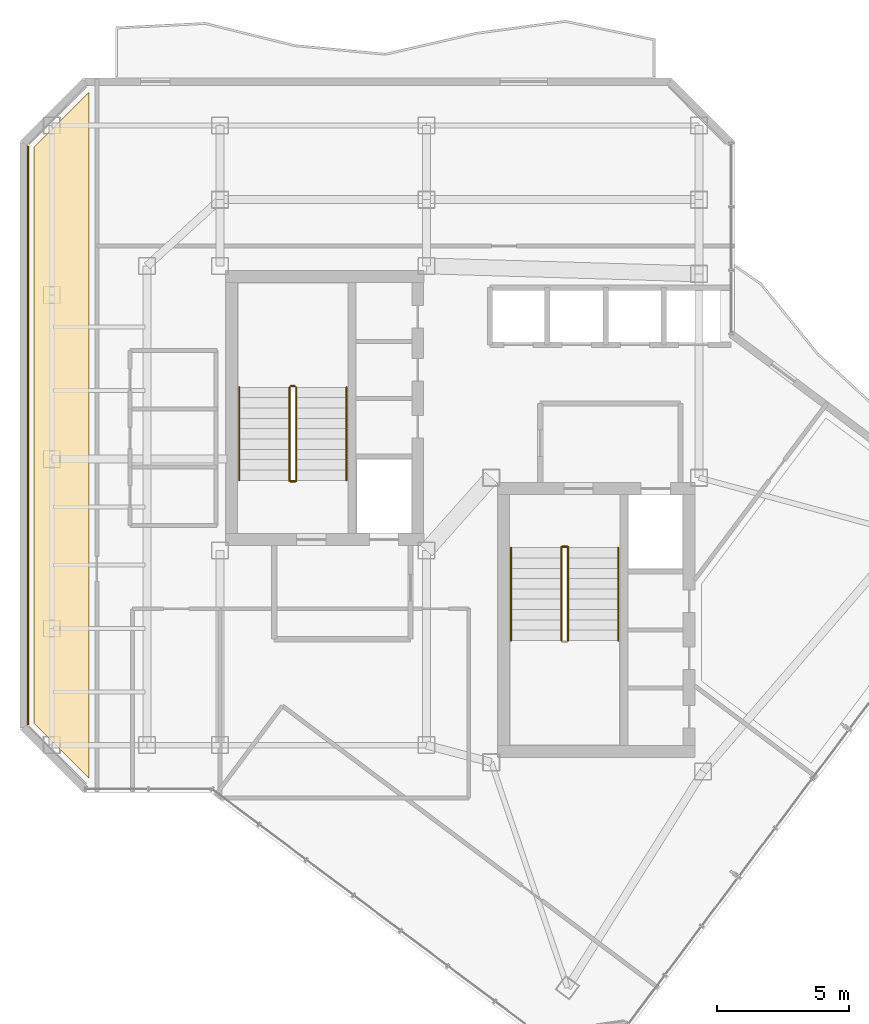
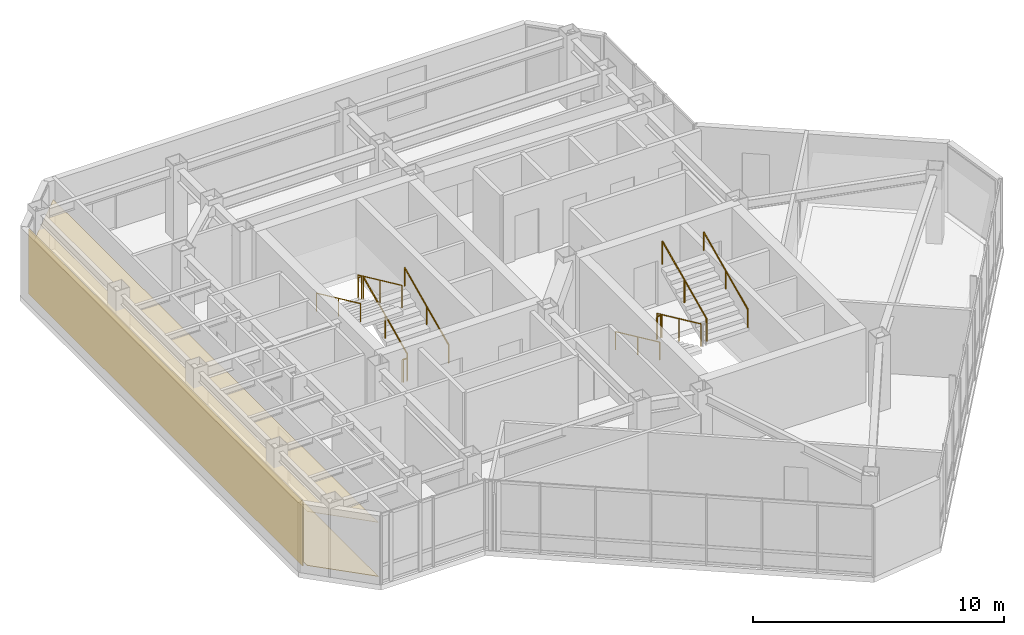
# One storey, part 17 of 18: 13 railings, 3 coverings.
"""IFC4 building model written with IfcOpenShell, lengths in metres."""

from ifc_helpers import new_model, si_unit, direction, frame, origin, origin_2d, place, context, subcontext, project, spatial, polyline, rectangle, circle, outline, extrude, material, layer, layer_set, type_object, element, save


model = new_model("IFC4")

# Units and contexts
model_context = context("Model", 3, precision=1e-05, world=origin(), true_north=direction((0.0, 1.0)))
body_context = subcontext(model_context, "Body", "Model", "MODEL_VIEW")
ifc_project = project(units=[si_unit("LENGTHUNIT", "METRE"), si_unit("AREAUNIT", "SQUARE_METRE"), si_unit("VOLUMEUNIT", "CUBIC_METRE"), si_unit("PLANEANGLEUNIT", "RADIAN"), si_unit("MASSUNIT", "GRAM", prefix="KILO")], contexts=[model_context])

# Site, building, storey
site_placement = place(None, origin())
site = spatial("IfcSite", under=ifc_project, at=site_placement, CompositionType="ELEMENT")
building_placement = place(site_placement, origin())
building = spatial("IfcBuilding", under=site, at=building_placement, Name="Hatsunagi Terrace Concourse", CompositionType="ELEMENT")
storey_placement = place(building_placement, frame((0.0, 0.0, 250.35009765625)))
storey = spatial("IfcBuildingStorey", under=building, at=storey_placement, Name="L66", CompositionType="ELEMENT", Elevation=250.35009765625)

# Coverings
ifc_material_1 = material(Name="Acoustic mineral board", Category="gypsum")
ifc_layer_1 = layer(ifc_material_1, 0.02001953125)
ifc_layer_set_1 = layer_set([ifc_layer_1], Name="AcousticMineralCeiling_20")
covering_type_1 = type_object("IfcCoveringType", Name="AcousticMineralCeiling_20", PredefinedType="CEILING", material=ifc_layer_set_1)
covering_1_placement = place(storey_placement, frame((0.0, 0.0, 2.6298828125)))
element("IfcCovering", 1, at=covering_1_placement, inside=storey, type_object=covering_type_1, Name="Suspended Ceiling L66-2", PredefinedType="CEILING", context=body_context, shape_type="SweptSolid", body=[
    extrude(outline(polyline([(18.530029296875, 26.02001953125), (20.60009765625, 23.949951171875), (20.60009765625, 49.85009765625), (18.530029296875, 47.780029296875), (18.530029296875, 26.02001953125)])), origin(), (0.0, 0.0, 1.0), 0.02001953125),
])
ifc_material_2 = material(Name="Granite stone paving", Category="masonry")
ifc_layer_2 = layer(ifc_material_2, 0.02490234375)
ifc_layer_set_2 = layer_set([ifc_layer_2], Name="GraniteStoneFlooring_25")
covering_type_2 = type_object("IfcCoveringType", Name="GraniteStoneFlooring_25", PredefinedType="FLOORING", material=ifc_layer_set_2)
covering_2_placement = place(storey_placement, origin())
element("IfcCovering", 2, at=covering_2_placement, inside=storey, type_object=covering_type_2, Name="Finished Flooring L66-2", PredefinedType="FLOORING", context=body_context, shape_type="SweptSolid", body=[
    extrude(outline(polyline([(18.530029296875, 26.02001953125), (20.60009765625, 23.949951171875), (20.60009765625, 49.85009765625), (18.530029296875, 47.780029296875), (18.530029296875, 26.02001953125)])), origin(), (0.0, 0.0, 1.0), 0.02490234375),
])

# Railings
ifc_material_3 = material(Name="Stainless steel", Category="steel")
ifc_layer_3 = layer(ifc_material_3, 0.044921875)
ifc_layer_set_3 = layer_set([ifc_layer_3], Name="StairPitchHandrail_Tower2000")
railing_type_1 = type_object("IfcRailingType", Name="StairPitchHandrail_Tower2000", PredefinedType="HANDRAIL", material=ifc_layer_set_3)
railing_1_placement = place(storey_placement, frame((30.330078125, 35.199951171875, 0.179931640625)))
element("IfcRailing", 3, at=railing_1_placement, inside=storey, type_object=railing_type_1, Name="L66 ST-A stair handrail 1", PredefinedType="HANDRAIL", context=body_context, shape_type="SweptSolid", body=[
    extrude(circle(Radius=0.02392578125, at=origin_2d()), frame((0.0, 0.0, 0.8759765625), z_axis=(0.0, 0.907972323039, 0.419030142823), x_axis=(-1.0, 0.0, 0.0)), (0.0, 0.0, 1.0), 3.86572265625),
    extrude(circle(Radius=0.02099609375, at=origin_2d()), origin(), (0.0, 0.0, 1.0), 0.851806640625),
    extrude(circle(Radius=0.02099609375, at=origin_2d()), frame((0.0, 1.7548828125, 0.81005859375)), (0.0, 0.0, 1.0), 0.851806640625),
    extrude(circle(Radius=0.02099609375, at=origin_2d()), frame((0.0, 3.510009765625, 1.619873046875)), (0.0, 0.0, 1.0), 0.851806640625),
])
for number, where, name in (
    (4, (26.280029296875, 38.7099609375, 1.97998046875), "L66 ST-A stair handrail 2"),
    (5, (36.550048828125, 32.659912109375, 0.179931640625), "L66 ST-B stair handrail 1"),
):
    element("IfcRailing", number, at=place(storey_placement, frame(where)), inside=storey, type_object=railing_type_1, Name=name, PredefinedType="HANDRAIL", context=body_context, shape_type="SweptSolid", body=[
        extrude(circle(Radius=0.02392578125, at=origin_2d()), frame((0.0, 0.0, 0.8759765625), z_axis=(0.0, -0.907972323039, 0.419030142823), x_axis=(1.0, 0.0, 0.0)), (0.0, 0.0, 1.0), 3.86572265625),
        extrude(circle(Radius=0.02099609375, at=origin_2d()), origin(), (0.0, 0.0, 1.0), 0.851806640625),
        extrude(circle(Radius=0.02099609375, at=origin_2d()), frame((0.0, -1.7548828125, 0.81005859375)), (0.0, 0.0, 1.0), 0.851806640625),
        extrude(circle(Radius=0.02099609375, at=origin_2d()), frame((0.0, -3.510009765625, 1.619873046875)), (0.0, 0.0, 1.0), 0.851806640625),
    ])
railing_2_placement = place(storey_placement, frame((40.60009765625, 29.14990234375, 1.97998046875)))
element("IfcRailing", 6, at=railing_2_placement, inside=storey, type_object=railing_type_1, Name="L66 ST-B stair handrail 2", PredefinedType="HANDRAIL", context=body_context, shape_type="SweptSolid", body=[
    extrude(circle(Radius=0.02392578125, at=origin_2d()), frame((0.0, 0.0, 0.8759765625), z_axis=(0.0, 0.907972323039, 0.419030142823), x_axis=(-1.0, 0.0, 0.0)), (0.0, 0.0, 1.0), 3.86572265625),
    extrude(circle(Radius=0.02099609375, at=origin_2d()), origin(), (0.0, 0.0, 1.0), 0.851806640625),
    extrude(circle(Radius=0.02099609375, at=origin_2d()), frame((0.0, 1.7548828125, 0.81005859375)), (0.0, 0.0, 1.0), 0.851806640625),
    extrude(circle(Radius=0.02099609375, at=origin_2d()), frame((0.0, 3.510009765625, 1.619873046875)), (0.0, 0.0, 1.0), 0.851806640625),
])
ifc_material_4 = material(Name="Stainless steel", Category="steel")
ifc_layer_4 = layer(ifc_material_4, 0.06005859375)
ifc_layer_set_4 = layer_set([ifc_layer_4], Name="StairWellGuard_Tower2000")
railing_type_2 = type_object("IfcRailingType", Name="StairWellGuard_Tower2000", PredefinedType="BALUSTRADE", material=ifc_layer_set_4)
railing_3_placement = place(storey_placement, frame((28.429931640625, 35.199951171875, 0.179931640625)))
element("IfcRailing", 7, at=railing_3_placement, inside=storey, type_object=railing_type_2, Name="L66 ST-A stair guard 1", PredefinedType="BALUSTRADE", context=body_context, shape_type="SweptSolid", body=[
    extrude(circle(Radius=0.02392578125, at=origin_2d()), frame((0.0, 0.0, 1.09619140625), z_axis=(0.0, 0.907972323039, 0.419030142823), x_axis=(-1.0, 0.0, 0.0)), (0.0, 0.0, 1.0), 3.86572265625),
    extrude(circle(Radius=0.02099609375, at=origin_2d()), origin(), (0.0, 0.0, 1.0), 1.072021484375),
    extrude(circle(Radius=0.02099609375, at=origin_2d()), frame((0.0, 1.7548828125, 0.81005859375)), (0.0, 0.0, 1.0), 1.072021484375),
    extrude(circle(Radius=0.02099609375, at=origin_2d()), frame((0.0, 3.510009765625, 1.619873046875)), (0.0, 0.0, 1.0), 1.072021484375),
])
railing_4_placement = place(storey_placement, frame((28.3798828125, 38.760009765625, 1.7998046875)))
element("IfcRailing", 8, at=railing_4_placement, inside=storey, type_object=railing_type_2, Name="L66 ST-A stair guard 2", PredefinedType="BALUSTRADE", context=body_context, shape_type="SweptSolid", body=[
    extrude(circle(Radius=0.02392578125, at=origin_2d()), frame((0.0, 0.0, 1.09619140625), z_axis=(-1.0, 0.0, 0.0), x_axis=(0.0, -1.0, 0.0)), (0.0, 0.0, 1.0), 0.14990234375),
    extrude(circle(Radius=0.02099609375, at=origin_2d()), origin(), (0.0, 0.0, 1.0), 1.072021484375),
    extrude(circle(Radius=0.02099609375, at=origin_2d()), frame((-0.14990234375, 0.0, 0.0)), (0.0, 0.0, 1.0), 1.072021484375),
])
railing_5_placement = place(storey_placement, frame((28.179931640625, 38.7099609375, 1.97998046875)))
element("IfcRailing", 9, at=railing_5_placement, inside=storey, type_object=railing_type_2, Name="L66 ST-A stair guard 3", PredefinedType="BALUSTRADE", context=body_context, shape_type="SweptSolid", body=[
    extrude(circle(Radius=0.02392578125, at=origin_2d()), frame((0.0, 0.0, 1.09619140625), z_axis=(0.0, -0.907972323039, 0.419030142823), x_axis=(1.0, 0.0, 0.0)), (0.0, 0.0, 1.0), 3.86572265625),
    extrude(circle(Radius=0.02099609375, at=origin_2d()), origin(), (0.0, 0.0, 1.0), 1.072021484375),
    extrude(circle(Radius=0.02099609375, at=origin_2d()), frame((0.0, -1.7548828125, 0.81005859375)), (0.0, 0.0, 1.0), 1.072021484375),
    extrude(circle(Radius=0.02099609375, at=origin_2d()), frame((0.0, -3.510009765625, 1.619873046875)), (0.0, 0.0, 1.0), 1.072021484375),
])
railing_6_placement = place(storey_placement, frame((28.3798828125, 35.14990234375, 0.0)))
element("IfcRailing", 10, at=railing_6_placement, inside=storey, type_object=railing_type_2, Name="L66 ST-A stair guard 4", PredefinedType="BALUSTRADE", context=body_context, shape_type="SweptSolid", body=[
    extrude(circle(Radius=0.02392578125, at=origin_2d()), frame((0.0, 0.0, 1.09619140625), z_axis=(-1.0, 0.0, 0.0), x_axis=(0.0, -1.0, 0.0)), (0.0, 0.0, 1.0), 0.14990234375),
    extrude(circle(Radius=0.02099609375, at=origin_2d()), origin(), (0.0, 0.0, 1.0), 1.072021484375),
    extrude(circle(Radius=0.02099609375, at=origin_2d()), frame((-0.14990234375, 0.0, 0.0)), (0.0, 0.0, 1.0), 1.072021484375),
])
railing_7_placement = place(storey_placement, frame((38.449951171875, 32.659912109375, 0.179931640625)))
element("IfcRailing", 11, at=railing_7_placement, inside=storey, type_object=railing_type_2, Name="L66 ST-B stair guard 1", PredefinedType="BALUSTRADE", context=body_context, shape_type="SweptSolid", body=[
    extrude(circle(Radius=0.02392578125, at=origin_2d()), frame((0.0, 0.0, 1.09619140625), z_axis=(0.0, -0.907972323039, 0.419030142823), x_axis=(1.0, 0.0, 0.0)), (0.0, 0.0, 1.0), 3.86572265625),
    extrude(circle(Radius=0.02099609375, at=origin_2d()), origin(), (0.0, 0.0, 1.0), 1.072021484375),
    extrude(circle(Radius=0.02099609375, at=origin_2d()), frame((0.0, -1.7548828125, 0.81005859375)), (0.0, 0.0, 1.0), 1.072021484375),
    extrude(circle(Radius=0.02099609375, at=origin_2d()), frame((0.0, -3.510009765625, 1.619873046875)), (0.0, 0.0, 1.0), 1.072021484375),
])
railing_8_placement = place(storey_placement, frame((38.699951171875, 29.14990234375, 1.97998046875)))
element("IfcRailing", 12, at=railing_8_placement, inside=storey, type_object=railing_type_2, Name="L66 ST-B stair guard 3", PredefinedType="BALUSTRADE", context=body_context, shape_type="SweptSolid", body=[
    extrude(circle(Radius=0.02392578125, at=origin_2d()), frame((0.0, 0.0, 1.09619140625), z_axis=(0.0, 0.907972323039, 0.419030142823), x_axis=(-1.0, 0.0, 0.0)), (0.0, 0.0, 1.0), 3.86572265625),
    extrude(circle(Radius=0.02099609375, at=origin_2d()), origin(), (0.0, 0.0, 1.0), 1.072021484375),
    extrude(circle(Radius=0.02099609375, at=origin_2d()), frame((0.0, 1.7548828125, 0.81005859375)), (0.0, 0.0, 1.0), 1.072021484375),
    extrude(circle(Radius=0.02099609375, at=origin_2d()), frame((0.0, 3.510009765625, 1.619873046875)), (0.0, 0.0, 1.0), 1.072021484375),
])
railing_9_placement = place(storey_placement, frame((38.5, 32.7099609375, 0.0)))
element("IfcRailing", 13, at=railing_9_placement, inside=storey, type_object=railing_type_2, Name="L66 ST-B stair guard 4", PredefinedType="BALUSTRADE", context=body_context, shape_type="SweptSolid", body=[
    extrude(circle(Radius=0.02392578125, at=origin_2d()), frame((0.0, 0.0, 1.09619140625), z_axis=(1.0, 0.0, 0.0), x_axis=(0.0, 1.0, 0.0)), (0.0, 0.0, 1.0), 0.14990234375),
    extrude(circle(Radius=0.02099609375, at=origin_2d()), origin(), (0.0, 0.0, 1.0), 1.072021484375),
    extrude(circle(Radius=0.02099609375, at=origin_2d()), frame((0.14990234375, 0.0, 0.0)), (0.0, 0.0, 1.0), 1.072021484375),
])
ifc_material_5 = material(Name="Stainless Steel SUS316 Post-and-Rail Guard", Category="steel")
ifc_layer_5 = layer(ifc_material_5, 0.080078125)
ifc_layer_set_5 = layer_set([ifc_layer_5], Name="TerracePlantedGuardRail_1200")
railing_type_3 = type_object("IfcRailingType", Name="TerracePlantedGuardRail_1200", PredefinedType="GUARDRAIL", material=ifc_layer_set_5)
for number, where, name in (
    (14, (28.179931640625, 35.179931640625, 0.0), "Stair ST-A Well Closure Guard L66"),
    (15, (38.449951171875, 32.679931640625, 0.0), "Stair ST-B Well Closure Guard L66"),
):
    element("IfcRailing", number, at=place(storey_placement, frame(where)), inside=storey, type_object=railing_type_3, Name=name, PredefinedType="GUARDRAIL", context=body_context, shape_type="SweptSolid", body=[
        extrude(circle(Radius=0.02392578125, at=origin_2d()), frame((0.0, 0.0, 1.09619140625), z_axis=(1.0, 0.0, 0.0), x_axis=(0.0, 1.0, 0.0)), (0.0, 0.0, 1.0), 0.25),
        extrude(circle(Radius=0.02099609375, at=origin_2d()), origin(), (0.0, 0.0, 1.0), 1.072021484375),
        extrude(circle(Radius=0.02099609375, at=origin_2d()), frame((0.25, 0.0, 0.0)), (0.0, 0.0, 1.0), 1.072021484375),
    ])

# Covering
ifc_material_6 = material(Name="Unglazed Warm Terracotta Rainscreen Tile", Category="masonry")
ifc_layer_6 = layer(ifc_material_6, 0.044921875)
ifc_layer_set_6 = layer_set([ifc_layer_6], Name="TerracottaRainscreenCladding_45")
covering_type_3 = type_object("IfcCoveringType", Name="TerracottaRainscreenCladding_45", PredefinedType="CLADDING", material=ifc_layer_set_6)
covering_3_placement = place(storey_placement, frame((18.302001953125, 36.89990234375, 0.099853515625), z_axis=(0.0, 0.0, 1.0), x_axis=(0.0, 1.0, 0.0)))
element("IfcCovering", 16, at=covering_3_placement, inside=storey, type_object=covering_type_3, Name="Terracotta Rainscreen Cladding L66-08", PredefinedType="CLADDING", context=body_context, shape_type="SweptSolid", body=[
    extrude(rectangle(XDim=21.843994140625, YDim=0.044921875, at=origin_2d()), origin(), (0.0, 0.0, 1.0), 3.14990234375),
])

save(model, "model.ifc")
